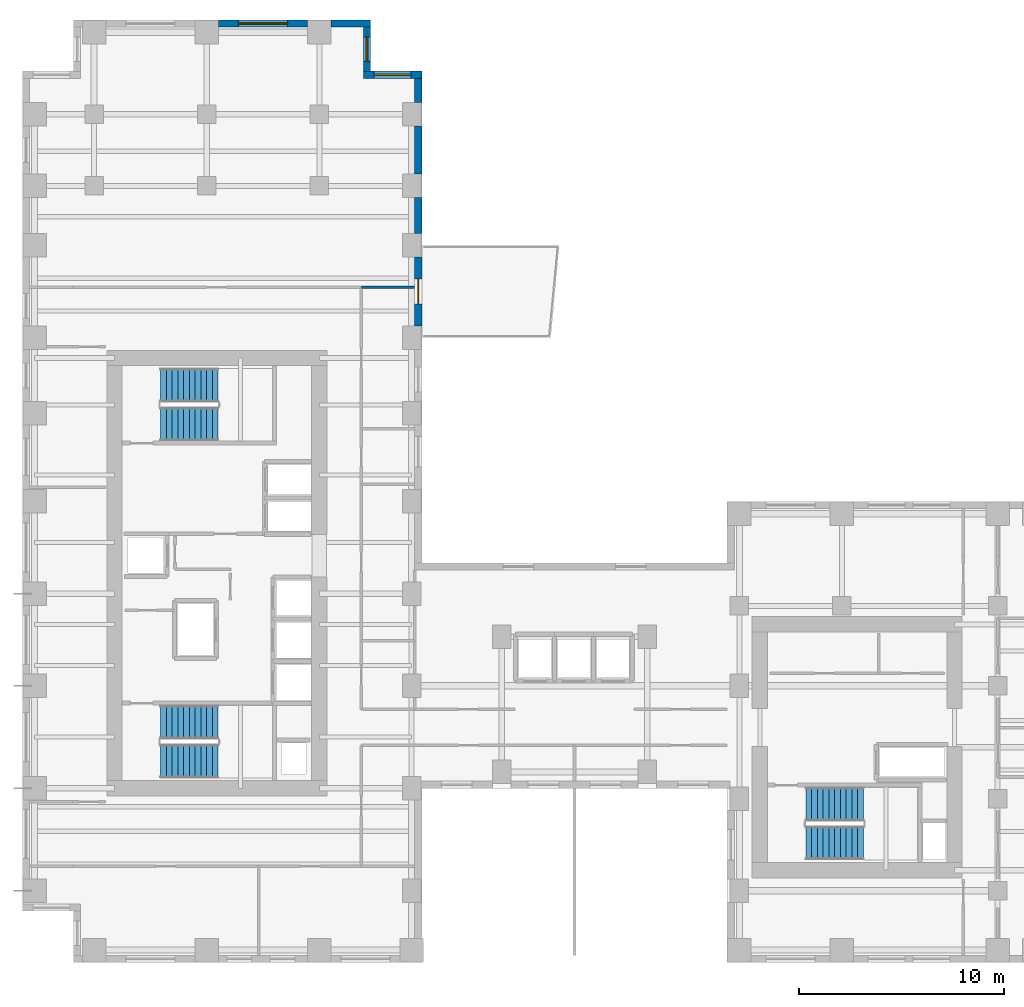
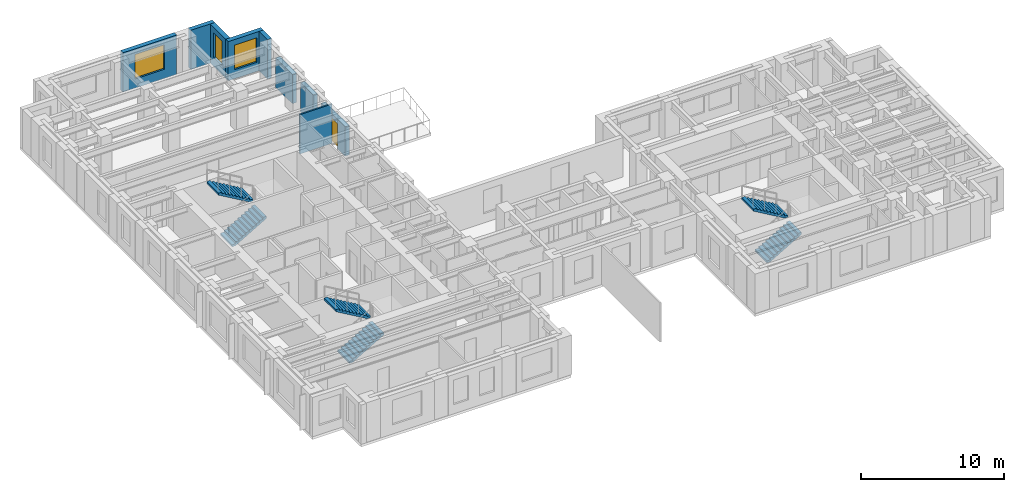
# One storey, part 9 of 11: 9 walls, 6 stair flights, 3 windows, 1 door, 4 openings, 3 elements without a shape of their own.
"""IFC4 building model written with IfcOpenShell, lengths in metres."""

from ifc_helpers import new_model, si_unit, direction, frame, frame_2d, origin, place, context, subcontext, project, spatial, polyline, rectangle, outline, extrude, source, transform, mapped, material, layer, layer_set, type_object, element, fill, aggregate, save


model = new_model("IFC4")

# Units and contexts
model_context = context("Model", 3, precision=1e-05, world=origin(), true_north=direction((0.0, 1.0)))
body_context = subcontext(model_context, "Body", "Model", "MODEL_VIEW")
ifc_project = project(units=[si_unit("LENGTHUNIT", "METRE"), si_unit("AREAUNIT", "SQUARE_METRE"), si_unit("VOLUMEUNIT", "CUBIC_METRE"), si_unit("PLANEANGLEUNIT", "RADIAN"), si_unit("MASSUNIT", "GRAM", prefix="KILO")], contexts=[model_context])

# Site, building, storey
site_placement = place(None, origin())
site = spatial("IfcSite", under=ifc_project, at=site_placement, CompositionType="ELEMENT")
building_placement = place(site_placement, origin())
building = spatial("IfcBuilding", under=site, at=building_placement, Name="Kharzan Plaza Tower", CompositionType="ELEMENT")
storey_placement = place(building_placement, frame((0.0, 0.0, 99.0)))
storey = spatial("IfcBuildingStorey", under=building, at=storey_placement, Name="L26", CompositionType="ELEMENT", Elevation=99.0)

# Wall, opening, door
ifc_material_1 = material(Name="Concrete C40/50", Category="concrete")
ifc_layer_1 = layer(ifc_material_1, 0.35009765625)
ifc_layer_set_1 = layer_set([ifc_layer_1], Name="Concrete C40/50")
wall_type_1 = type_object("IfcWallType", Name="WL-EXT-MAS-Z2", PredefinedType="SOLIDWALL", material=ifc_layer_set_1)
wall_1_placement = place(storey_placement, frame((19.324951171875, 31.072998046875, 0.0), z_axis=(0.0, 0.0, 1.0), x_axis=(0.0, 1.0, 0.0)))
wall_1 = element("IfcWall", 1, at=wall_1_placement, inside=storey, type_object=wall_type_1, Name="L26 Masonry-Frame Exterior Wall 04", PredefinedType="SOLIDWALL", context=body_context, shape_type="SweptSolid", body=[
    extrude(rectangle(XDim=3.35400390625, YDim=0.35009765625, at=frame_2d((1.677001953125, 0.0))), origin(), (0.0, 0.0, 1.0), 2.51904296875),
])
opening_1_placement = place(wall_1_placement, frame((1.076904296875, 0.0, 0.0)))
opening_1 = element("IfcOpeningElement", 2, at=opening_1_placement, cuts=wall_1, Name="Opening ED3", PredefinedType="OPENING", context=body_context, shape_type="SweptSolid", body=[
    extrude(rectangle(XDim=1.199951171875, YDim=2.14990234375, at=frame_2d((0.60009765625, 1.074951171875))), frame((0.0, 0.18505859375, 0.0), z_axis=(0.0, -1.0, 0.0), x_axis=(1.0, 0.0, 0.0)), (0.0, 0.0, 1.0), 0.3701171875),
])
ifc_material_2 = material(Name="Thermally Broken Anodized Bronze Aluminium", Category="aluminium")
door_type = type_object("IfcDoorType", Name="DR-EXT-TRAY-1200", OperationType="SINGLE_SWING_LEFT", PredefinedType="DOOR", material=ifc_material_2)
shared_shape_1 = source(origin(), body_context, "Body", "SweptSolid", [
    extrude(rectangle(XDim=1.199951171875, YDim=2.14990234375, at=frame_2d((0.60009765625, 1.074951171875))), frame((0.0, 0.02490234375, 0.0), z_axis=(0.0, -1.0, 0.0), x_axis=(1.0, 0.0, 0.0)), (0.0, 0.0, 1.0), 0.050048828125),
])
door_placement = place(opening_1_placement, frame((1.199951171875, 0.0, 0.0), z_axis=(0.0, 0.0, 1.0), x_axis=(-1.0, 0.0, 0.0)))
door = element("IfcDoor", 3, at=door_placement, inside=storey, type_object=door_type, Name="L26 Cantilevered Sky-Terrace Tray Access Door", OperationType="SINGLE_SWING_LEFT", OverallHeight=2.14990234375, OverallWidth=1.199951171875, PredefinedType="DOOR", context=body_context, shape_type="MappedRepresentation", body=[
    mapped(shared_shape_1, transform((0.0, 0.0, 0.0), x_axis=(1.0, 0.0, 0.0), y_axis=(0.0, 1.0, 0.0), z_axis=(0.0, 0.0, 1.0))),
])
fill(opening_1, door)

# Wall, opening, window
wall_2_placement = place(storey_placement, frame((19.5, 43.324951171875, 0.0), z_axis=(0.0, 0.0, 1.0), x_axis=(-1.0, 0.0, 0.0)))
wall_2 = element("IfcWall", 4, at=wall_2_placement, inside=storey, type_object=wall_type_1, Name="L26 Masonry-Frame Exterior Wall 08", PredefinedType="SOLIDWALL", context=body_context, shape_type="SweptSolid", body=[
    extrude(rectangle(XDim=2.85009765625, YDim=0.35009765625, at=frame_2d((1.425048828125, 0.0))), origin(), (0.0, 0.0, 1.0), 3.364990234375),
])
opening_2_placement = place(wall_2_placement, frame((0.52490234375, 0.0, 0.780029296875)))
opening_2 = element("IfcOpeningElement", 5, at=opening_2_placement, cuts=wall_2, Name="Opening W1", PredefinedType="OPENING", context=body_context, shape_type="SweptSolid", body=[
    extrude(rectangle(XDim=1.800048828125, YDim=2.10009765625, at=frame_2d((0.89990234375, 1.050048828125))), frame((0.0, 0.18505859375, 0.0), z_axis=(0.0, -1.0, 0.0), x_axis=(1.0, 0.0, 0.0)), (0.0, 0.0, 1.0), 0.3701171875),
])
ifc_material_3 = material(Name="Low-E Double Glazing", Category="glass")
window_type_1 = type_object("IfcWindowType", Name="WN-REC-1800x2100", PartitioningType="SINGLE_PANEL", PredefinedType="WINDOW", material=ifc_material_3)
shared_shape_2 = source(origin(), body_context, "Body", "SweptSolid", [
    extrude(rectangle(XDim=1.800048828125, YDim=2.10009765625, at=frame_2d((0.89990234375, 1.050048828125))), frame((0.0, 0.030029296875, 0.0), z_axis=(0.0, -1.0, 0.0), x_axis=(1.0, 0.0, 0.0)), (0.0, 0.0, 1.0), 0.06005859375),
])
window_1_placement = place(opening_2_placement, origin())
window_1 = element("IfcWindow", 6, at=window_1_placement, inside=storey, type_object=window_type_1, Name="L26 Recessed Solar-Control Window 08-1", OverallHeight=2.10009765625, OverallWidth=1.800048828125, PartitioningType="SINGLE_PANEL", PredefinedType="WINDOW", context=body_context, shape_type="MappedRepresentation", body=[
    mapped(shared_shape_2, transform((0.0, 0.0, 0.0), x_axis=(1.0, 0.0, 0.0), y_axis=(0.0, 1.0, 0.0), z_axis=(0.0, 0.0, 1.0))),
])
fill(opening_2, window_1)

wall_3_placement = place(storey_placement, frame((16.824951171875, 43.498046875, 0.0), z_axis=(0.0, 0.0, 1.0), x_axis=(0.0, 1.0, 0.0)))
wall_3 = element("IfcWall", 7, at=wall_3_placement, inside=storey, type_object=wall_type_1, Name="L26 Masonry-Frame Exterior Wall 09", PredefinedType="SOLIDWALL", context=body_context, shape_type="SweptSolid", body=[
    extrude(rectangle(XDim=2.154052734375, YDim=0.35009765625, at=frame_2d((1.0771484375, 0.0))), origin(), (0.0, 0.0, 1.0), 3.364990234375),
])
opening_3_placement = place(wall_3_placement, frame((0.47705078125, 0.0, 0.780029296875)))
opening_3 = element("IfcOpeningElement", 8, at=opening_3_placement, cuts=wall_3, Name="Opening W3", PredefinedType="OPENING", context=body_context, shape_type="SweptSolid", body=[
    extrude(rectangle(XDim=1.199951171875, YDim=2.10009765625, at=frame_2d((0.60009765625, 1.050048828125))), frame((0.0, 0.18505859375, 0.0), z_axis=(0.0, -1.0, 0.0), x_axis=(1.0, 0.0, 0.0)), (0.0, 0.0, 1.0), 0.3701171875),
])
window_type_2 = type_object("IfcWindowType", Name="WN-REC-1200x2100", PartitioningType="SINGLE_PANEL", PredefinedType="WINDOW", material=ifc_material_3)
shared_shape_3 = source(origin(), body_context, "Body", "SweptSolid", [
    extrude(rectangle(XDim=1.199951171875, YDim=2.10009765625, at=frame_2d((0.60009765625, 1.050048828125))), frame((0.0, 0.030029296875, 0.0), z_axis=(0.0, -1.0, 0.0), x_axis=(1.0, 0.0, 0.0)), (0.0, 0.0, 1.0), 0.06005859375),
])
window_2_placement = place(opening_3_placement, origin())
window_2 = element("IfcWindow", 9, at=window_2_placement, inside=storey, type_object=window_type_2, Name="L26 Recessed Solar-Control Window 09-1", OverallHeight=2.10009765625, OverallWidth=1.199951171875, PartitioningType="SINGLE_PANEL", PredefinedType="WINDOW", context=body_context, shape_type="MappedRepresentation", body=[
    mapped(shared_shape_3, transform((0.0, 0.0, 0.0), x_axis=(1.0, 0.0, 0.0), y_axis=(0.0, 1.0, 0.0), z_axis=(0.0, 0.0, 1.0))),
])
fill(opening_3, window_2)

wall_4_placement = place(storey_placement, frame((13.927001953125, 45.824951171875, 0.0), z_axis=(0.0, 0.0, 1.0), x_axis=(-1.0, 0.0, 0.0)))
wall_4 = element("IfcWall", 10, at=wall_4_placement, inside=storey, type_object=wall_type_1, Name="L26 Masonry-Frame Exterior Wall 11", PredefinedType="SOLIDWALL", context=body_context, shape_type="SweptSolid", body=[
    extrude(rectangle(XDim=4.35400390625, YDim=0.35009765625, at=frame_2d((2.177001953125, 0.0))), origin(), (0.0, 0.0, 1.0), 3.364990234375),
])
opening_4_placement = place(wall_4_placement, frame((0.97705078125, 0.0, 0.780029296875)))
opening_4 = element("IfcOpeningElement", 11, at=opening_4_placement, cuts=wall_4, Name="Opening W2", PredefinedType="OPENING", context=body_context, shape_type="SweptSolid", body=[
    extrude(rectangle(XDim=2.39990234375, YDim=2.10009765625, at=frame_2d((1.199951171875, 1.050048828125))), frame((0.0, 0.18505859375, 0.0), z_axis=(0.0, -1.0, 0.0), x_axis=(1.0, 0.0, 0.0)), (0.0, 0.0, 1.0), 0.3701171875),
])
window_type_3 = type_object("IfcWindowType", Name="WN-REC-2400x2100", PartitioningType="SINGLE_PANEL", PredefinedType="WINDOW", material=ifc_material_3)
shared_shape_4 = source(origin(), body_context, "Body", "SweptSolid", [
    extrude(rectangle(XDim=2.39990234375, YDim=2.10009765625, at=frame_2d((1.199951171875, 1.050048828125))), frame((0.0, 0.030029296875, 0.0), z_axis=(0.0, -1.0, 0.0), x_axis=(1.0, 0.0, 0.0)), (0.0, 0.0, 1.0), 0.06005859375),
])
window_3_placement = place(opening_4_placement, origin())
window_3 = element("IfcWindow", 12, at=window_3_placement, inside=storey, type_object=window_type_3, Name="L26 Wide Recessed Solar-Control Window 11-1", OverallHeight=2.10009765625, OverallWidth=2.39990234375, PartitioningType="SINGLE_PANEL", PredefinedType="WINDOW", context=body_context, shape_type="MappedRepresentation", body=[
    mapped(shared_shape_4, transform((0.0, 0.0, 0.0), x_axis=(1.0, 0.0, 0.0), y_axis=(0.0, 1.0, 0.0), z_axis=(0.0, 0.0, 1.0))),
])
fill(opening_4, window_3)

# Walls
ifc_material_4 = material(Name="Fire-Rated Gypsum Board Partition", Category="gypsum")
ifc_layer_2 = layer(ifc_material_4, 0.125)
ifc_layer_set_2 = layer_set([ifc_layer_2], Name="Fire-Rated Gypsum Board Partition")
wall_type_2 = type_object("IfcWallType", Name="WL-INT-PART-125", PredefinedType="PARTITIONING", material=ifc_layer_set_2)
shared_shape_5 = source(origin(), body_context, "Body", "SweptSolid", [
    extrude(rectangle(XDim=2.597900390625, YDim=0.125, at=frame_2d((1.298828125, 0.0))), origin(), (0.0, 0.0, 1.0), 3.364990234375),
])
wall_5_placement = place(storey_placement, frame((16.550048828125, 32.949951171875, 0.0), z_axis=(0.0, 0.0, 1.0), x_axis=(1.0, 0.0, 0.0)))
element("IfcWall", 13, at=wall_5_placement, inside=storey, type_object=wall_type_2, Name="L26 Interior Partition SH-NNE0", PredefinedType="PARTITIONING", context=body_context, shape_type="MappedRepresentation", body=[
    mapped(shared_shape_5, transform((0.0, 0.0, 0.0), x_axis=(1.0, 0.0, 0.0), y_axis=(0.0, 1.0, 0.0), z_axis=(0.0, 0.0, 1.0))),
])
shared_shape_6 = source(origin(), body_context, "Body", "SweptSolid", [
    extrude(rectangle(XDim=1.927001953125, YDim=0.35009765625, at=frame_2d((0.96337890625, 0.0))), origin(), (0.0, 0.0, 1.0), 3.364990234375),
])
wall_6_placement = place(storey_placement, frame((17.0, 45.824951171875, 0.0), z_axis=(0.0, 0.0, 1.0), x_axis=(-1.0, 0.0, 0.0)))
element("IfcWall", 14, at=wall_6_placement, inside=storey, type_object=wall_type_1, Name="L26 Masonry-Frame Exterior Wall 10", PredefinedType="SOLIDWALL", context=body_context, shape_type="MappedRepresentation", body=[
    mapped(shared_shape_6, transform((0.0, 0.0, 0.0), x_axis=(1.0, 0.0, 0.0), y_axis=(0.0, 1.0, 0.0), z_axis=(0.0, 0.0, 1.0))),
])
shared_shape_7 = source(origin(), body_context, "Body", "SweptSolid", [
    extrude(rectangle(XDim=1.17919921875, YDim=0.35009765625, at=frame_2d((0.589599609375, 0.0))), origin(), (0.0, 0.0, 1.0), 3.364990234375),
])
wall_7_placement = place(storey_placement, frame((19.324951171875, 41.972900390625, 0.0), z_axis=(0.0, 0.0, 1.0), x_axis=(0.0, 1.0, 0.0)))
element("IfcWall", 15, at=wall_7_placement, inside=storey, type_object=wall_type_1, Name="L26 Masonry-Frame Exterior Wall 07", PredefinedType="SOLIDWALL", context=body_context, shape_type="MappedRepresentation", body=[
    mapped(shared_shape_7, transform((0.0, 0.0, 0.0), x_axis=(1.0, 0.0, 0.0), y_axis=(0.0, 1.0, 0.0), z_axis=(0.0, 0.0, 1.0))),
])
shared_shape_8 = source(origin(), body_context, "Body", "SweptSolid", [
    extrude(rectangle(XDim=1.75390625, YDim=0.35009765625, at=frame_2d((0.876953125, 0.0))), origin(), (0.0, 0.0, 1.0), 2.51904296875),
])
wall_8_placement = place(storey_placement, frame((19.324951171875, 35.572998046875, 0.0), z_axis=(0.0, 0.0, 1.0), x_axis=(0.0, 1.0, 0.0)))
element("IfcWall", 16, at=wall_8_placement, inside=storey, type_object=wall_type_1, Name="L26 Masonry-Frame Exterior Wall 05", PredefinedType="SOLIDWALL", context=body_context, shape_type="MappedRepresentation", body=[
    mapped(shared_shape_8, transform((0.0, 0.0, 0.0), x_axis=(1.0, 0.0, 0.0), y_axis=(0.0, 1.0, 0.0), z_axis=(0.0, 0.0, 1.0))),
])
shared_shape_9 = source(origin(), body_context, "Body", "SweptSolid", [
    extrude(rectangle(XDim=2.35400390625, YDim=0.35009765625, at=frame_2d((1.177001953125, 0.0))), origin(), (0.0, 0.0, 1.0), 2.51904296875),
])
wall_9_placement = place(storey_placement, frame((19.324951171875, 38.472900390625, 0.0), z_axis=(0.0, 0.0, 1.0), x_axis=(0.0, 1.0, 0.0)))
element("IfcWall", 17, at=wall_9_placement, inside=storey, type_object=wall_type_1, Name="L26 Masonry-Frame Exterior Wall 06", PredefinedType="SOLIDWALL", context=body_context, shape_type="MappedRepresentation", body=[
    mapped(shared_shape_9, transform((0.0, 0.0, 0.0), x_axis=(1.0, 0.0, 0.0), y_axis=(0.0, 1.0, 0.0), z_axis=(0.0, 0.0, 1.0))),
])

# Stair, stair flights
stair_type_1 = type_object("IfcStairType", Name="STR-ST-1", PredefinedType="HALF_TURN_STAIR", material=ifc_material_1)
stair_1_placement = place(storey_placement, origin())
stair_1 = element("IfcStair", 18, at=stair_1_placement, inside=storey, type_object=stair_type_1, Name="L26 Protected Exit Stair ST-1", PredefinedType="HALF_TURN_STAIR")
stair_flight_type = type_object("IfcStairFlightType", Name="SFL-1650-R173", PredefinedType="STRAIGHT", material=ifc_material_1)
shared_shape_10 = source(origin(), body_context, "Body", "SweptSolid", [
    extrude(outline(polyline([(-0.0029296875, -0.011962890625), (-0.0029296875, 0.0), (0.0, 0.0), (0.0, 0.16357421875), (0.280029296875, 0.16357421875), (0.280029296875, 0.3271484375), (0.56005859375, 0.3271484375), (0.56005859375, 0.49072265625), (0.840087890625, 0.49072265625), (0.840087890625, 0.654296875), (1.1201171875, 0.654296875), (1.1201171875, 0.81787109375), (1.400146484375, 0.81787109375), (1.400146484375, 0.9814453125), (1.68017578125, 0.9814453125), (1.68017578125, 1.14501953125), (1.960205078125, 1.14501953125), (1.960205078125, 1.30859375), (2.240234375, 1.30859375), (2.240234375, 1.47216796875), (2.520263671875, 1.47216796875), (2.520263671875, 1.6357421875), (2.80029296875, 1.6357421875), (2.80029296875, 1.79931640625), (2.80029296875, 1.462158203125), (0.297119140625, 0.0), (0.297119140625, -0.011962890625), (-0.0029296875, -0.011962890625)])), frame((0.0, 0.824951171875, 0.0), z_axis=(0.0, -1.0, 0.0), x_axis=(1.0, 0.0, 0.0)), (0.0, 0.0, 1.0), 1.64990234375),
])
stair_flight_1_placement = place(storey_placement, frame((6.75, 9.824951171875, 0.0), z_axis=(0.0, 0.0, 1.0), x_axis=(1.0, 0.0, 0.0)))
stair_flight_1 = element("IfcStairFlight", 19, at=stair_flight_1_placement, type_object=stair_flight_type, Name="ST-1 flight 1", NumberOfRisers=11, NumberOfTreads=10, PredefinedType="STRAIGHT", RiserHeight=0.163636364, TreadLength=0.28, context=body_context, shape_type="MappedRepresentation", body=[
    mapped(shared_shape_10, transform((0.0, 0.0, 0.0), x_axis=(1.0, 0.0, 0.0), y_axis=(0.0, 1.0, 0.0), z_axis=(0.0, 0.0, 1.0))),
])
stair_flight_2_placement = place(storey_placement, frame((9.550048828125, 11.72509765625, 1.800048828125), z_axis=(0.0, 0.0, 1.0), x_axis=(-1.0, 0.0, 0.0)))
stair_flight_2 = element("IfcStairFlight", 20, at=stair_flight_2_placement, type_object=stair_flight_type, Name="ST-1 flight 2", NumberOfRisers=11, NumberOfTreads=10, PredefinedType="STRAIGHT", RiserHeight=0.163636364, TreadLength=0.28, context=body_context, shape_type="MappedRepresentation", body=[
    mapped(shared_shape_10, transform((0.0, 0.0, 0.0), x_axis=(1.0, 0.0, 0.0), y_axis=(0.0, 1.0, 0.0), z_axis=(0.0, 0.0, 1.0))),
])
aggregate(stair_1, [stair_flight_1, stair_flight_2])

stair_type_2 = type_object("IfcStairType", Name="STR-ST-2", PredefinedType="HALF_TURN_STAIR", material=ifc_material_1)
stair_2_placement = place(storey_placement, origin())
stair_2 = element("IfcStair", 21, at=stair_2_placement, inside=storey, type_object=stair_type_2, Name="L26 Protected Exit Stair ST-2", PredefinedType="HALF_TURN_STAIR")
stair_flight_3_placement = place(storey_placement, frame((6.75, 26.27490234375, 0.0), z_axis=(0.0, 0.0, 1.0), x_axis=(1.0, 0.0, 0.0)))
stair_flight_3 = element("IfcStairFlight", 22, at=stair_flight_3_placement, type_object=stair_flight_type, Name="ST-2 flight 1", NumberOfRisers=11, NumberOfTreads=10, PredefinedType="STRAIGHT", RiserHeight=0.163636364, TreadLength=0.28, context=body_context, shape_type="MappedRepresentation", body=[
    mapped(shared_shape_10, transform((0.0, 0.0, 0.0), x_axis=(1.0, 0.0, 0.0), y_axis=(0.0, 1.0, 0.0), z_axis=(0.0, 0.0, 1.0))),
])
stair_flight_4_placement = place(storey_placement, frame((9.550048828125, 28.175048828125, 1.800048828125), z_axis=(0.0, 0.0, 1.0), x_axis=(-1.0, 0.0, 0.0)))
stair_flight_4 = element("IfcStairFlight", 23, at=stair_flight_4_placement, type_object=stair_flight_type, Name="ST-2 flight 2", NumberOfRisers=11, NumberOfTreads=10, PredefinedType="STRAIGHT", RiserHeight=0.163636364, TreadLength=0.28, context=body_context, shape_type="MappedRepresentation", body=[
    mapped(shared_shape_10, transform((0.0, 0.0, 0.0), x_axis=(1.0, 0.0, 0.0), y_axis=(0.0, 1.0, 0.0), z_axis=(0.0, 0.0, 1.0))),
])
aggregate(stair_2, [stair_flight_3, stair_flight_4])

stair_type_3 = type_object("IfcStairType", Name="STR-ST-3", PredefinedType="HALF_TURN_STAIR", material=ifc_material_1)
stair_3_placement = place(storey_placement, origin())
stair_3 = element("IfcStair", 24, at=stair_3_placement, inside=storey, type_object=stair_type_3, Name="L26 Protected Exit Stair ST-3", PredefinedType="HALF_TURN_STAIR")
stair_flight_5_placement = place(storey_placement, frame((38.25, 5.824951171875, 0.0), z_axis=(0.0, 0.0, 1.0), x_axis=(1.0, 0.0, 0.0)))
stair_flight_5 = element("IfcStairFlight", 25, at=stair_flight_5_placement, type_object=stair_flight_type, Name="ST-3 flight 1", NumberOfRisers=11, NumberOfTreads=10, PredefinedType="STRAIGHT", RiserHeight=0.163636364, TreadLength=0.28, context=body_context, shape_type="MappedRepresentation", body=[
    mapped(shared_shape_10, transform((0.0, 0.0, 0.0), x_axis=(1.0, 0.0, 0.0), y_axis=(0.0, 1.0, 0.0), z_axis=(0.0, 0.0, 1.0))),
])
stair_flight_6_placement = place(storey_placement, frame((41.050048828125, 7.72509765625, 1.800048828125), z_axis=(0.0, 0.0, 1.0), x_axis=(-1.0, 0.0, 0.0)))
stair_flight_6 = element("IfcStairFlight", 26, at=stair_flight_6_placement, type_object=stair_flight_type, Name="ST-3 flight 2", NumberOfRisers=11, NumberOfTreads=10, PredefinedType="STRAIGHT", RiserHeight=0.163636364, TreadLength=0.28, context=body_context, shape_type="MappedRepresentation", body=[
    mapped(shared_shape_10, transform((0.0, 0.0, 0.0), x_axis=(1.0, 0.0, 0.0), y_axis=(0.0, 1.0, 0.0), z_axis=(0.0, 0.0, 1.0))),
])
aggregate(stair_3, [stair_flight_5, stair_flight_6])

save(model, "model.ifc")
